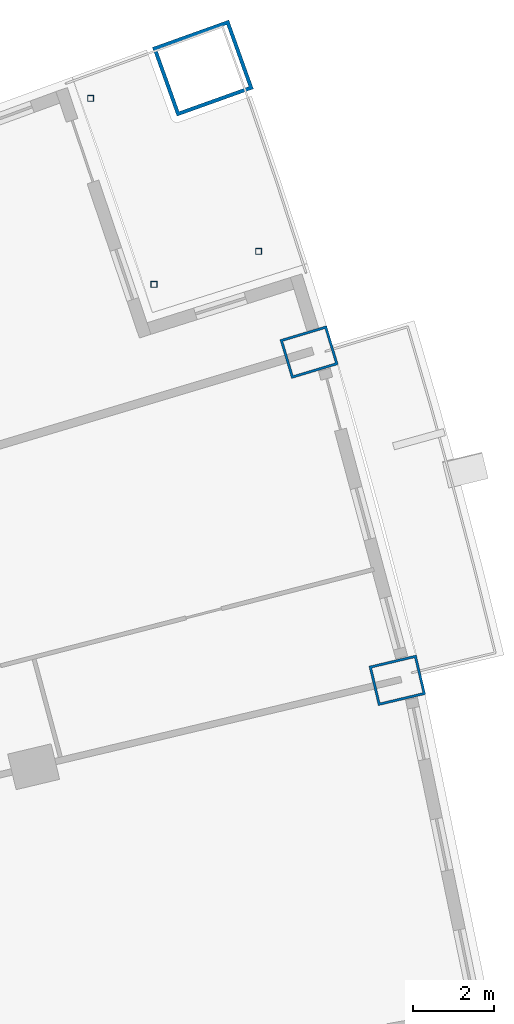
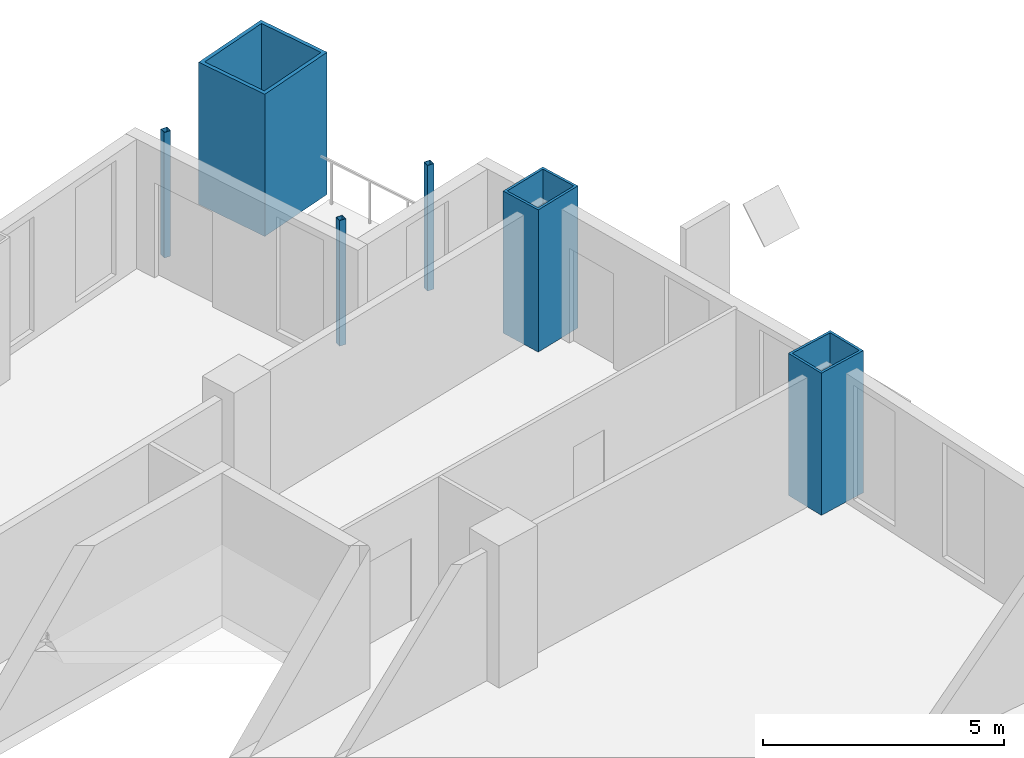
# One storey, part 11 of 24: 6 columns.
"""IFC4 building model written with IfcOpenShell, lengths in metres."""

from ifc_helpers import new_model, si_unit, direction, frame, origin, origin_2d, place, context, subcontext, project, spatial, hollow_rectangle, extrude, material, material_profile, profile_set, type_object, element, save


model = new_model("IFC4")

# Units and contexts
model_context = context("Model", 3, precision=1e-05, world=origin(), true_north=direction((0.0, 1.0)))
body_context = subcontext(model_context, "Body", "Model", "MODEL_VIEW")
ifc_project = project(units=[si_unit("LENGTHUNIT", "METRE"), si_unit("AREAUNIT", "SQUARE_METRE"), si_unit("VOLUMEUNIT", "CUBIC_METRE"), si_unit("PLANEANGLEUNIT", "RADIAN"), si_unit("MASSUNIT", "GRAM", prefix="KILO")], contexts=[model_context])

# Site, building, storey
site_placement = place(None, origin())
site = spatial("IfcSite", under=ifc_project, at=site_placement, CompositionType="ELEMENT")
building_placement = place(site_placement, origin())
building = spatial("IfcBuilding", under=site, at=building_placement, Name="Alderwake Tower", CompositionType="ELEMENT")
storey_placement = place(building_placement, frame((0.0, 0.0, 39.199951171875)))
storey = spatial("IfcBuildingStorey", under=building, at=storey_placement, Name="L08", CompositionType="ELEMENT", Elevation=39.199951171875)

# Columns
ifc_material_1 = material(Name="Steel ASTM A500 Grade C", Category="steel")
ifc_material_profile_1 = material_profile(ifc_material_1, hollow_rectangle(XDim=0.15234375, YDim=0.15234375, WallThickness=0.0087890625, at=origin_2d()), Name="HSS6X6X3/8")
ifc_profile_set_1 = profile_set([ifc_material_profile_1], Name="Steel ASTM A500 Grade C")
column_type_1 = type_object("IfcColumnType", Name="Light post HSS6X6X3/8", PredefinedType="COLUMN", material=ifc_profile_set_1)
for number, where, z_axis, x_axis, name in (
    (1, (56.101318359375, 104.716552734375, 0.0), (0.0, 0.0, 1.0), (1.0, 0.0, 0.0), "Terrace post FN1"),
    (2, (51.968505859375, 108.480224609375, 0.0), (0.0, 0.0, 1.0), (1.0, 0.0, 0.0), "Terrace post FN2"),
    (3, (53.52685546875, 103.902587890625, 0.0), (0.0, 0.0, 1.0), (1.0, 0.0, 0.0), "Terrace post FN3"),
):
    element("IfcColumn", number, at=place(storey_placement, frame(where, z_axis=z_axis, x_axis=x_axis)), inside=storey, type_object=column_type_1, Name=name, PredefinedType="COLUMN", context=body_context, shape_type="SweptSolid", body=[
        extrude(hollow_rectangle(XDim=0.15234375, YDim=0.15234375, WallThickness=0.0087890625, at=origin_2d()), origin(), (0.0, 0.0, 1.0), 3.179931640625),
    ])
ifc_material_2 = material(Name="Steel ASTM A572 Grade 50 concrete filled C70/85", Category="concrete")
ifc_material_profile_2 = material_profile(ifc_material_2, hollow_rectangle(XDim=1.800048828125, YDim=2.0, WallThickness=0.090087890625, at=origin_2d()), Name="BOX 2000X1800X90")
ifc_profile_set_2 = profile_set([ifc_material_profile_2], Name="Steel ASTM A572 Grade 50 concrete filled C70/85")
column_type_2 = type_object("IfcColumnType", Name="Mega column Z1", PredefinedType="COLUMN", material=ifc_profile_set_2)
column_placement = place(storey_placement, frame((54.7294921875, 109.22412109375, 0.0), z_axis=(0.0, 0.0, 1.0), x_axis=(-0.336995022772, 0.941506428351, 0.0)))
element("IfcColumn", 4, at=column_placement, inside=storey, type_object=column_type_2, Name="Column R13-C5", PredefinedType="COLUMN", context=body_context, shape_type="SweptSolid", body=[
    extrude(hollow_rectangle(XDim=1.800048828125, YDim=2.0, WallThickness=0.090087890625, at=origin_2d()), origin(), (0.0, 0.0, 1.0), 3.60009765625),
])
ifc_material_3 = material(Name="Steel ASTM A572 Grade 50 concrete filled C70/85", Category="concrete")
ifc_material_profile_3 = material_profile(ifc_material_3, hollow_rectangle(XDim=1.0, YDim=1.199951171875, WallThickness=0.06005859375, at=origin_2d()), Name="BOX 1200X1000X60")
ifc_profile_set_3 = profile_set([ifc_material_profile_3], Name="Steel ASTM A572 Grade 50 concrete filled C70/85")
column_type_3 = type_object("IfcColumnType", Name="Perimeter column Z1", PredefinedType="COLUMN", material=ifc_profile_set_3)
for number, where, z_axis, x_axis, name in (
    (5, (59.513916015625, 94.1572265625, 0.0), (0.0, 0.0, 1.0), (-0.231221547198, 0.972901123502, 0.0), "Column R11-C5"),
    (6, (57.343505859375, 102.234619140625, 0.0), (0.0, 0.0, 1.0), (-0.287549418125, 0.957765802342, 0.0), "Column R12-C5"),
):
    element("IfcColumn", number, at=place(storey_placement, frame(where, z_axis=z_axis, x_axis=x_axis)), inside=storey, type_object=column_type_3, Name=name, PredefinedType="COLUMN", context=body_context, shape_type="SweptSolid", body=[
        extrude(hollow_rectangle(XDim=1.0, YDim=1.199951171875, WallThickness=0.06005859375, at=origin_2d()), origin(), (0.0, 0.0, 1.0), 3.60009765625),
    ])

save(model, "model.ifc")
